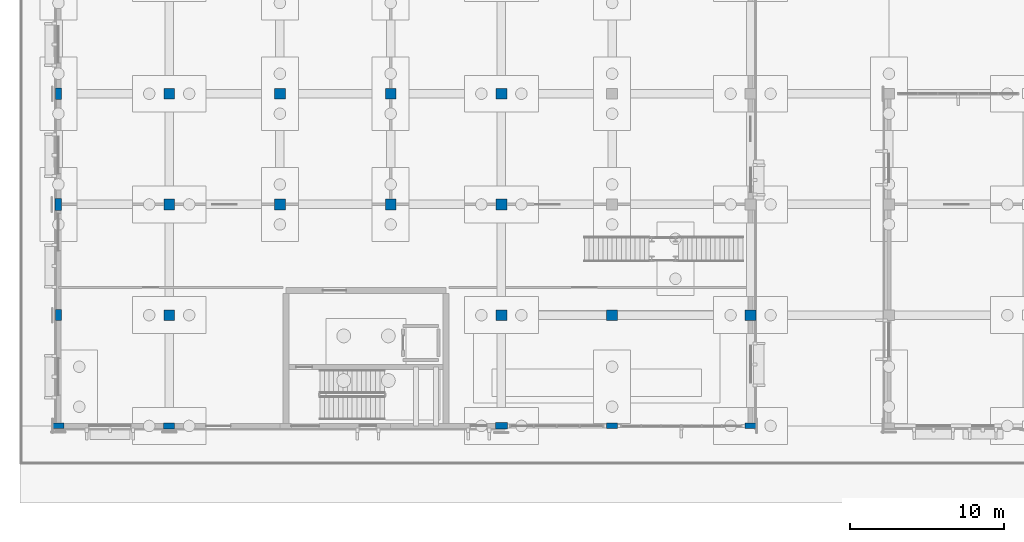
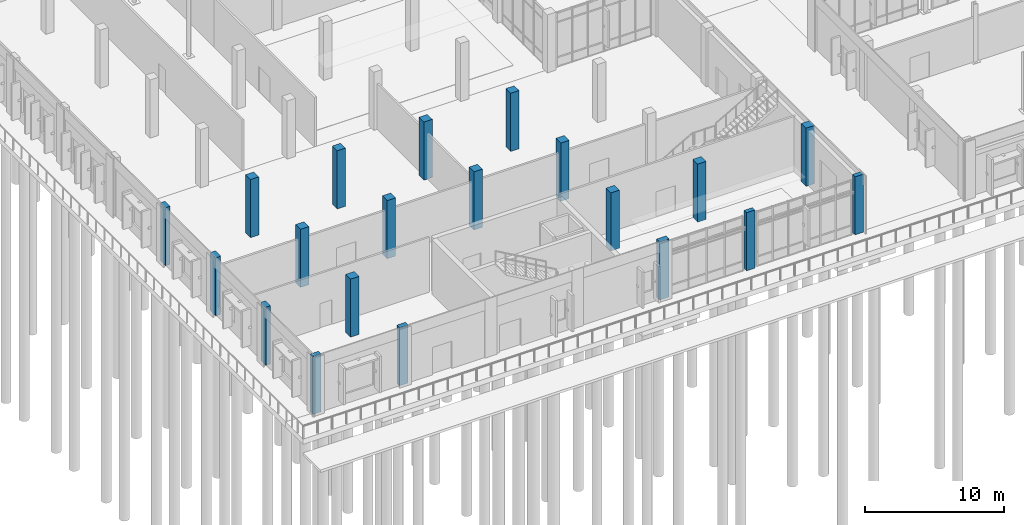
# One storey, part 15 of 94: 20 columns.
"""IFC4 building model written with IfcOpenShell, lengths in metres."""

from ifc_helpers import new_model, si_unit, direction, frame, origin, origin_2d, place, context, subcontext, project, spatial, rectangle, extrude, material, material_profile, profile_set, type_object, element, save


model = new_model("IFC4")

# Units and contexts
model_context = context("Model", 3, precision=1e-05, world=origin(), true_north=direction((0.0, 1.0)))
body_context = subcontext(model_context, "Body", "Model", "MODEL_VIEW")
ifc_project = project(units=[si_unit("LENGTHUNIT", "METRE"), si_unit("AREAUNIT", "SQUARE_METRE"), si_unit("VOLUMEUNIT", "CUBIC_METRE"), si_unit("PLANEANGLEUNIT", "RADIAN"), si_unit("MASSUNIT", "GRAM", prefix="KILO")], contexts=[model_context])

# Site, building, storey
site_placement = place(None, origin())
site = spatial("IfcSite", under=ifc_project, at=site_placement, CompositionType="ELEMENT")
building_placement = place(site_placement, origin())
building = spatial("IfcBuilding", under=site, at=building_placement, Name="Vervanel Yard Central Library", CompositionType="ELEMENT")
storey_placement = place(building_placement, origin())
storey = spatial("IfcBuildingStorey", under=building, at=storey_placement, Name="L00", CompositionType="ELEMENT", Elevation=0.0)

# Columns
ifc_material = material(Name="Concrete C40/50", Category="concrete")
ifc_material_profile_1 = material_profile(ifc_material, rectangle(XDim=0.699951171875, YDim=0.699951171875, at=origin_2d()), Name="RC 700x700", Category="concrete")
ifc_profile_set_1 = profile_set([ifc_material_profile_1], Name="Concrete C40/50")
column_type_1 = type_object("IfcColumnType", Name="Concrete Column 700x700", PredefinedType="COLUMN", material=ifc_profile_set_1)
for number, where, z_axis, x_axis, name in (
    (1, (7.199951171875, 7.199951171875, 0.0), (0.0, 0.0, 1.0), (1.0, 0.0, 0.0), "L00 Concrete Column 700x700 (7.2, 7.2)"),
    (2, (7.199951171875, 14.39990234375, 0.0), (0.0, 0.0, 1.0), (1.0, 0.0, 0.0), "L00 Concrete Column 700x700 (7.2, 14.4)"),
    (3, (7.199951171875, 21.60009765625, 0.0), (0.0, 0.0, 1.0), (1.0, 0.0, 0.0), "L00 Concrete Column 700x700 (7.2, 21.6)"),
    (4, (14.39990234375, 14.39990234375, 0.0), (0.0, 0.0, 1.0), (1.0, 0.0, 0.0), "L00 Concrete Column 700x700 (14.4, 14.4)"),
    (5, (14.39990234375, 21.60009765625, 0.0), (0.0, 0.0, 1.0), (1.0, 0.0, 0.0), "L00 Concrete Column 700x700 (14.4, 21.6)"),
    (6, (21.60009765625, 14.39990234375, 0.0), (0.0, 0.0, 1.0), (1.0, 0.0, 0.0), "L00 Concrete Column 700x700 (21.6, 14.4)"),
    (7, (21.60009765625, 21.60009765625, 0.0), (0.0, 0.0, 1.0), (1.0, 0.0, 0.0), "L00 Concrete Column 700x700 (21.6, 21.6)"),
    (8, (28.800048828125, 7.199951171875, 0.0), (0.0, 0.0, 1.0), (1.0, 0.0, 0.0), "L00 Concrete Column 700x700 (28.8, 7.2)"),
    (9, (28.800048828125, 14.39990234375, 0.0), (0.0, 0.0, 1.0), (1.0, 0.0, 0.0), "L00 Concrete Column 700x700 (28.8, 14.4)"),
    (10, (28.800048828125, 21.60009765625, 0.0), (0.0, 0.0, 1.0), (1.0, 0.0, 0.0), "L00 Concrete Column 700x700 (28.8, 21.6)"),
    (11, (36.0, 7.199951171875, 0.0), (0.0, 0.0, 1.0), (1.0, 0.0, 0.0), "L00 Concrete Column 700x700 (36.0, 7.2)"),
    (12, (45.0, 7.199951171875, 0.0), (0.0, 0.0, 1.0), (1.0, 0.0, 0.0), "L00 Concrete Column 700x700 (45.0, 7.2)"),
):
    element("IfcColumn", number, at=place(storey_placement, frame(where, z_axis=z_axis, x_axis=x_axis)), inside=storey, type_object=column_type_1, Name=name, PredefinedType="COLUMN", context=body_context, shape_type="SweptSolid", body=[
        extrude(rectangle(XDim=0.699951171875, YDim=0.699951171875, at=origin_2d()), origin(), (0.0, 0.0, 1.0), 5.10009765625),
    ])
ifc_material_profile_2 = material_profile(ifc_material, rectangle(XDim=0.35009765625, YDim=0.699951171875, at=origin_2d()), Name="RC 350x700", Category="concrete")
ifc_profile_set_2 = profile_set([ifc_material_profile_2], Name="Concrete C40/50")
column_type_2 = type_object("IfcColumnType", Name="Perimeter Pilaster 350x700", PredefinedType="PILASTER", material=ifc_profile_set_2)
for number, where, z_axis, x_axis, name in (
    (13, (0.0, 0.0, 0.0), (0.0, 0.0, 1.0), (0.0, 1.0, 0.0), "L00 Perimeter Pilaster 350x700 (0.0, 0.0)"),
    (14, (36.0, 0.0, 0.0), (0.0, 0.0, 1.0), (0.0, 1.0, 0.0), "L00 Perimeter Pilaster 350x700 (36.0, 0.0)"),
    (15, (45.0, 0.0, 0.0), (0.0, 0.0, 1.0), (0.0, 1.0, 0.0), "L00 Perimeter Pilaster 350x700 (45.0, 0.0)"),
):
    element("IfcColumn", number, at=place(storey_placement, frame(where, z_axis=z_axis, x_axis=x_axis)), inside=storey, type_object=column_type_2, Name=name, PredefinedType="PILASTER", context=body_context, shape_type="SweptSolid", body=[
        extrude(rectangle(XDim=0.35009765625, YDim=0.699951171875, at=origin_2d()), origin(), (0.0, 0.0, 1.0), 5.10009765625),
    ])
ifc_material_profile_3 = material_profile(ifc_material, rectangle(XDim=0.3798828125, YDim=0.719970703125, at=origin_2d()), Name="RC 380x720", Category="concrete")
ifc_profile_set_3 = profile_set([ifc_material_profile_3], Name="Concrete C40/50")
column_type_3 = type_object("IfcColumnType", Name="Perimeter Pilaster 380x720", PredefinedType="PILASTER", material=ifc_profile_set_3)
for number, where, z_axis, x_axis, name in (
    (16, (0.0, 7.199951171875, 0.0), (0.0, 0.0, 1.0), (1.0, 0.0, 0.0), "L00 Perimeter Pilaster 380x720 (0.0, 7.2)"),
    (17, (0.0, 21.60009765625, 0.0), (0.0, 0.0, 1.0), (1.0, 0.0, 0.0), "L00 Perimeter Pilaster 380x720 (0.0, 21.6)"),
    (18, (7.199951171875, 0.0, 0.0), (0.0, 0.0, 1.0), (0.0, 1.0, 0.0), "L00 Perimeter Pilaster 380x720 (7.2, 0.0)"),
):
    element("IfcColumn", number, at=place(storey_placement, frame(where, z_axis=z_axis, x_axis=x_axis)), inside=storey, type_object=column_type_3, Name=name, PredefinedType="PILASTER", context=body_context, shape_type="SweptSolid", body=[
        extrude(rectangle(XDim=0.3798828125, YDim=0.719970703125, at=origin_2d()), origin(), (0.0, 0.0, 1.0), 5.10009765625),
    ])
ifc_material_profile_4 = material_profile(ifc_material, rectangle(XDim=0.419921875, YDim=0.780029296875, at=origin_2d()), Name="RC 420x780", Category="concrete")
ifc_profile_set_4 = profile_set([ifc_material_profile_4], Name="Concrete C40/50")
column_type_4 = type_object("IfcColumnType", Name="Perimeter Pilaster 420x780", PredefinedType="PILASTER", material=ifc_profile_set_4)
for number, where, z_axis, x_axis, name in (
    (19, (0.0, 14.39990234375, 0.0), (0.0, 0.0, 1.0), (1.0, 0.0, 0.0), "L00 Perimeter Pilaster 420x780 (0.0, 14.4)"),
    (20, (28.800048828125, 0.0, 0.0), (0.0, 0.0, 1.0), (0.0, 1.0, 0.0), "L00 Perimeter Pilaster 420x780 (28.8, 0.0)"),
):
    element("IfcColumn", number, at=place(storey_placement, frame(where, z_axis=z_axis, x_axis=x_axis)), inside=storey, type_object=column_type_4, Name=name, PredefinedType="PILASTER", context=body_context, shape_type="SweptSolid", body=[
        extrude(rectangle(XDim=0.419921875, YDim=0.780029296875, at=origin_2d()), origin(), (0.0, 0.0, 1.0), 5.10009765625),
    ])

save(model, "model.ifc")
